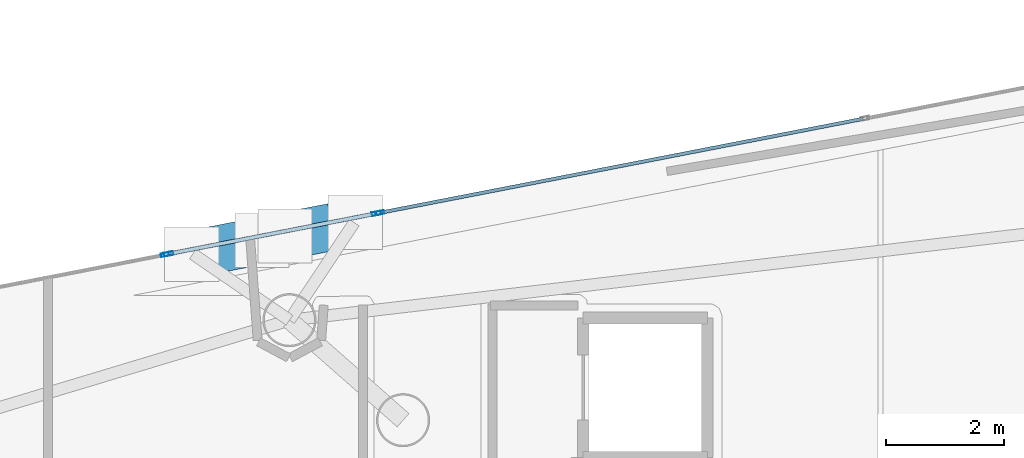
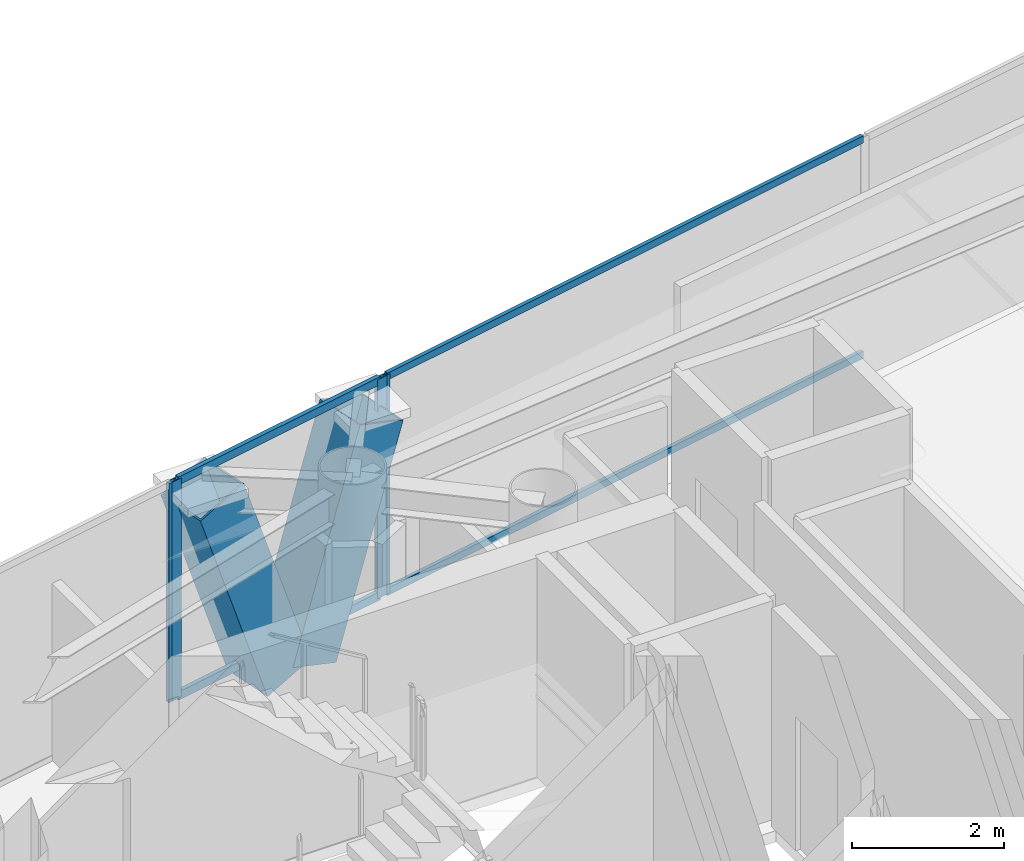
# One storey, part 14 of 22: 10 members, 3 elements without a shape of their own.
"""IFC4 building model written with IfcOpenShell, lengths in metres."""

from ifc_helpers import new_model, si_unit, direction, frame, origin, origin_2d, place, context, subcontext, project, spatial, hollow_rectangle, extrude, material, layer, layer_set, material_profile, profile_set, type_object, element, aggregate, save


model = new_model("IFC4")

# Units and contexts
model_context = context("Model", 3, precision=1e-05, world=origin(), true_north=direction((0.0, 1.0)))
body_context = subcontext(model_context, "Body", "Model", "MODEL_VIEW")
ifc_project = project(units=[si_unit("LENGTHUNIT", "METRE"), si_unit("AREAUNIT", "SQUARE_METRE"), si_unit("VOLUMEUNIT", "CUBIC_METRE"), si_unit("PLANEANGLEUNIT", "RADIAN"), si_unit("MASSUNIT", "GRAM", prefix="KILO")], contexts=[model_context])

# Site, building, storey
site_placement = place(None, origin())
site = spatial("IfcSite", under=ifc_project, at=site_placement, CompositionType="ELEMENT")
building_placement = place(site_placement, origin())
building = spatial("IfcBuilding", under=site, at=building_placement, Name="Qianvela Tower", CompositionType="ELEMENT")
storey_placement = place(building_placement, frame((0.0, 0.0, 299.10009765625)))
storey = spatial("IfcBuildingStorey", under=building, at=storey_placement, Name="L77", CompositionType="ELEMENT", Elevation=299.10009765625)

# Curtain wall, members
ifc_material_1 = material(Name="Anodised Architectural Aluminium and Insulated Spandrel Panel", Category="aluminium")
ifc_layer_1 = layer(ifc_material_1, 0.179931640625)
ifc_layer_set_1 = layer_set([ifc_layer_1], Name="Anodised Architectural Aluminium and Insulated Spandrel Panel")
curtain_wall_type_1 = type_object("IfcCurtainWallType", Name="CW-BRACEBAY", PredefinedType="USERDEFINED", material=ifc_layer_set_1)
curtain_wall_1_placement = place(storey_placement, origin())
curtain_wall_1 = element("IfcCurtainWall", 1, at=curtain_wall_1_placement, inside=storey, type_object=curtain_wall_type_1, Name="L77 CW-BRACEBAY Curtain Wall 02B", ObjectType="CURTAIN_WALL_SYSTEM", PredefinedType="USERDEFINED")
ifc_material_2 = material(Name="Anodised Architectural Aluminium 6063-T6", Category="aluminium")
ifc_material_profile_1 = material_profile(ifc_material_2, hollow_rectangle(XDim=0.06494140625, YDim=0.159912109375, WallThickness=0.0048828125, at=origin_2d()), Name="ALU-MULL-65x160")
ifc_profile_set_1 = profile_set([ifc_material_profile_1], Name="Anodised Architectural Aluminium 6063-T6")
member_type_1 = type_object("IfcMemberType", Name="CW-BRACEBAY-MULL", PredefinedType="MULLION", material=ifc_profile_set_1)
member_1_placement = place(storey_placement, frame((37.94921875, 37.049560546875, 0.0), z_axis=(0.0, 0.0, 1.0), x_axis=(0.190934190834, -0.98160283963, 0.0)))
member_1 = element("IfcMember", 2, at=member_1_placement, type_object=member_type_1, Name="CW-9 mullion 1", PredefinedType="MULLION", context=body_context, shape_type="SweptSolid", body=[
    extrude(hollow_rectangle(XDim=0.06494140625, YDim=0.159912109375, WallThickness=0.0048828125, at=origin_2d()), origin(), (0.0, 0.0, 1.0), 3.52001953125),
])
member_2_placement = place(storey_placement, frame((34.430419921875, 36.364990234375, 0.0), z_axis=(0.0, 0.0, 1.0), x_axis=(0.190934190834, -0.98160283963, 0.0)))
member_2 = element("IfcMember", 3, at=member_2_placement, type_object=member_type_1, Name="CW-9 mullion 2", PredefinedType="MULLION", context=body_context, shape_type="SweptSolid", body=[
    extrude(hollow_rectangle(XDim=0.06494140625, YDim=0.159912109375, WallThickness=0.0048828125, at=origin_2d()), origin(), (0.0, 0.0, 1.0), 3.52001953125),
])
ifc_material_3 = material(Name="Anodised Architectural Aluminium 6063-T6", Category="aluminium")
ifc_material_profile_2 = material_profile(ifc_material_3, hollow_rectangle(XDim=0.06494140625, YDim=0.1298828125, WallThickness=0.00439453125, at=origin_2d()), Name="ALU-TRAN-65x130")
ifc_profile_set_2 = profile_set([ifc_material_profile_2], Name="Anodised Architectural Aluminium 6063-T6")
member_type_2 = type_object("IfcMemberType", Name="CW-BRACEBAY-TRAN", PredefinedType="USERDEFINED", material=ifc_profile_set_2)
member_3_placement = place(storey_placement, frame((37.91748046875, 37.043212890625, 0.032470703125), z_axis=(-0.981602031634, -0.190938344739, 0.0), x_axis=(0.190938344739, -0.981602031634, 0.0)))
member_3 = element("IfcMember", 4, at=member_3_placement, type_object=member_type_2, Name="CW-9 transom 1.1", ObjectType="TRANSOM", PredefinedType="USERDEFINED", context=body_context, shape_type="SweptSolid", body=[
    extrude(hollow_rectangle(XDim=0.06494140625, YDim=0.1298828125, WallThickness=0.00439453125, at=origin_2d()), origin(), (0.0, 0.0, 1.0), 3.52001953125),
])
member_4_placement = place(storey_placement, frame((37.91748046875, 37.043212890625, 3.4873046875), z_axis=(-0.981602031634, -0.190938344739, 0.0), x_axis=(0.190938344739, -0.981602031634, 0.0)))
member_4 = element("IfcMember", 5, at=member_4_placement, type_object=member_type_2, Name="CW-9 transom 1.2", ObjectType="TRANSOM", PredefinedType="USERDEFINED", context=body_context, shape_type="SweptSolid", body=[
    extrude(hollow_rectangle(XDim=0.06494140625, YDim=0.1298828125, WallThickness=0.00439453125, at=origin_2d()), origin(), (0.0, 0.0, 1.0), 3.52001953125),
])
aggregate(curtain_wall_1, [member_1, member_2, member_3, member_4])

# Curtain wall, member
ifc_material_4 = material(Name="Anodised Architectural Aluminium and Low-E Glass", Category="aluminium")
ifc_layer_2 = layer(ifc_material_4, 0.14990234375)
ifc_layer_set_2 = layer_set([ifc_layer_2], Name="Anodised Architectural Aluminium and Low-E Glass")
curtain_wall_type_2 = type_object("IfcCurtainWallType", Name="CW-COLIV-Z78", PredefinedType="USERDEFINED", material=ifc_layer_set_2)
curtain_wall_2_placement = place(storey_placement, origin())
curtain_wall_2 = element("IfcCurtainWall", 6, at=curtain_wall_2_placement, inside=storey, type_object=curtain_wall_type_2, Name="L77 CW-COLIV-Z78 Curtain Wall 02A", ObjectType="CURTAIN_WALL_SYSTEM", PredefinedType="USERDEFINED")
ifc_material_5 = material(Name="Anodised Architectural Aluminium 6063-T6", Category="aluminium")
ifc_material_profile_3 = material_profile(ifc_material_5, hollow_rectangle(XDim=0.06005859375, YDim=0.139892578125, WallThickness=0.00439453125, at=origin_2d()), Name="ALU-MULL-60x140")
ifc_profile_set_3 = profile_set([ifc_material_profile_3], Name="Anodised Architectural Aluminium 6063-T6")
member_type_3 = type_object("IfcMemberType", Name="CW-COLIV-Z78-MULL", PredefinedType="MULLION", material=ifc_profile_set_3)
member_5_placement = place(storey_placement, frame((38.0107421875, 37.0615234375, 0.0), z_axis=(0.0, 0.0, 1.0), x_axis=(0.190929794093, -0.981603694842, 0.0)))
member_5 = element("IfcMember", 7, at=member_5_placement, type_object=member_type_3, Name="CW-6 mullion 3", PredefinedType="MULLION", context=body_context, shape_type="SweptSolid", body=[
    extrude(hollow_rectangle(XDim=0.06005859375, YDim=0.139892578125, WallThickness=0.00439453125, at=origin_2d()), origin(), (0.0, 0.0, 1.0), 3.52001953125),
])

curtain_wall_3_placement = place(storey_placement, origin())
curtain_wall_3 = element("IfcCurtainWall", 8, at=curtain_wall_3_placement, inside=storey, type_object=curtain_wall_type_2, Name="L77 CW-COLIV-Z78 Curtain Wall 02C", ObjectType="CURTAIN_WALL_SYSTEM", PredefinedType="USERDEFINED")
member_6_placement = place(storey_placement, frame((34.368896484375, 36.35302734375, 0.0), z_axis=(0.0, 0.0, 1.0), x_axis=(0.190932552207, -0.981603158363, 0.0)))
member_6 = element("IfcMember", 9, at=member_6_placement, type_object=member_type_3, Name="CW-6 mullion 1", PredefinedType="MULLION", context=body_context, shape_type="SweptSolid", body=[
    extrude(hollow_rectangle(XDim=0.06005859375, YDim=0.139892578125, WallThickness=0.00439453125, at=origin_2d()), origin(), (0.0, 0.0, 1.0), 3.52001953125),
])
aggregate(curtain_wall_3, [member_6])

# Member
ifc_material_6 = material(Name="Anodised Architectural Aluminium 6063-T6", Category="aluminium")
ifc_material_profile_4 = material_profile(ifc_material_6, hollow_rectangle(XDim=0.06005859375, YDim=0.114990234375, WallThickness=0.00390625, at=origin_2d()), Name="ALU-TRAN-60x115")
ifc_profile_set_4 = profile_set([ifc_material_profile_4], Name="Anodised Architectural Aluminium 6063-T6")
member_type_4 = type_object("IfcMemberType", Name="CW-COLIV-Z78-TRAN", PredefinedType="USERDEFINED", material=ifc_profile_set_4)
member_7_placement = place(storey_placement, frame((46.1875, 38.65185546875, 0.02978515625), z_axis=(-0.981604365979, -0.190926343628, 0.0), x_axis=(0.190926343628, -0.981604365979, 0.0)))
member_7 = element("IfcMember", 10, at=member_7_placement, type_object=member_type_4, Name="CW-6 transom 2.1", ObjectType="TRANSOM", PredefinedType="USERDEFINED", context=body_context, shape_type="SweptSolid", body=[
    extrude(hollow_rectangle(XDim=0.06005859375, YDim=0.114990234375, WallThickness=0.00390625, at=origin_2d()), origin(), (0.0, 0.0, 1.0), 8.300048828125),
])

member_8_placement = place(storey_placement, frame((46.1875, 38.65185546875, 3.489990234375), z_axis=(-0.981604365979, -0.190926343628, 0.0), x_axis=(0.190926343628, -0.981604365979, 0.0)))
member_8 = element("IfcMember", 11, at=member_8_placement, type_object=member_type_4, Name="CW-6 transom 2.2", ObjectType="TRANSOM", PredefinedType="USERDEFINED", context=body_context, shape_type="SweptSolid", body=[
    extrude(hollow_rectangle(XDim=0.06005859375, YDim=0.114990234375, WallThickness=0.00390625, at=origin_2d()), origin(), (0.0, 0.0, 1.0), 8.300048828125),
])

aggregate(curtain_wall_2, [member_5, member_7, member_8])

# Members
ifc_material_7 = material(Name="Steel Q420GJC", Category="steel")
ifc_material_profile_5 = material_profile(ifc_material_7, hollow_rectangle(XDim=0.800048828125, YDim=0.800048828125, WallThickness=0.028076171875, at=origin_2d()), Name="MBOX-800x800x28")
ifc_profile_set_5 = profile_set([ifc_material_profile_5], Name="Steel Q420GJC")
member_type_5 = type_object("IfcMemberType", Name="MBR-MBRACE-800", PredefinedType="BRACE", material=ifc_profile_set_5)
for number, where, z_axis, x_axis, name in (
    (12, (36.42236328125, 36.6708984375, -0.14013671875), (0.323191044499, 0.062880840434, 0.94424231459), (-0.190981268486, 0.981593681259, 0.0), "L77 Tier 13 Exterior Mega-Brace F1A"),
    (13, (35.990478515625, 36.5869140625, -0.14013671875), (-0.323191044499, -0.062880840434, 0.94424231459), (0.190981268486, -0.981593681259, 0.0), "L77 Tier 13 Exterior Mega-Brace F1B"),
):
    element("IfcMember", number, at=place(storey_placement, frame(where, z_axis=z_axis, x_axis=x_axis)), inside=storey, type_object=member_type_5, Name=name, PredefinedType="BRACE", context=body_context, shape_type="SweptSolid", body=[
        extrude(hollow_rectangle(XDim=0.800048828125, YDim=0.800048828125, WallThickness=0.028076171875, at=origin_2d()), origin(), (0.0, 0.0, 1.0), 3.556396484375),
    ])

save(model, "model.ifc")
